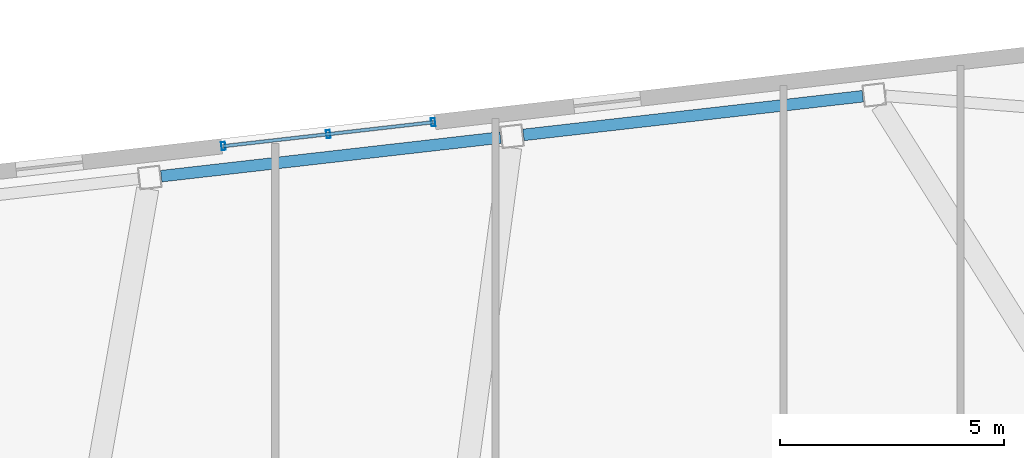
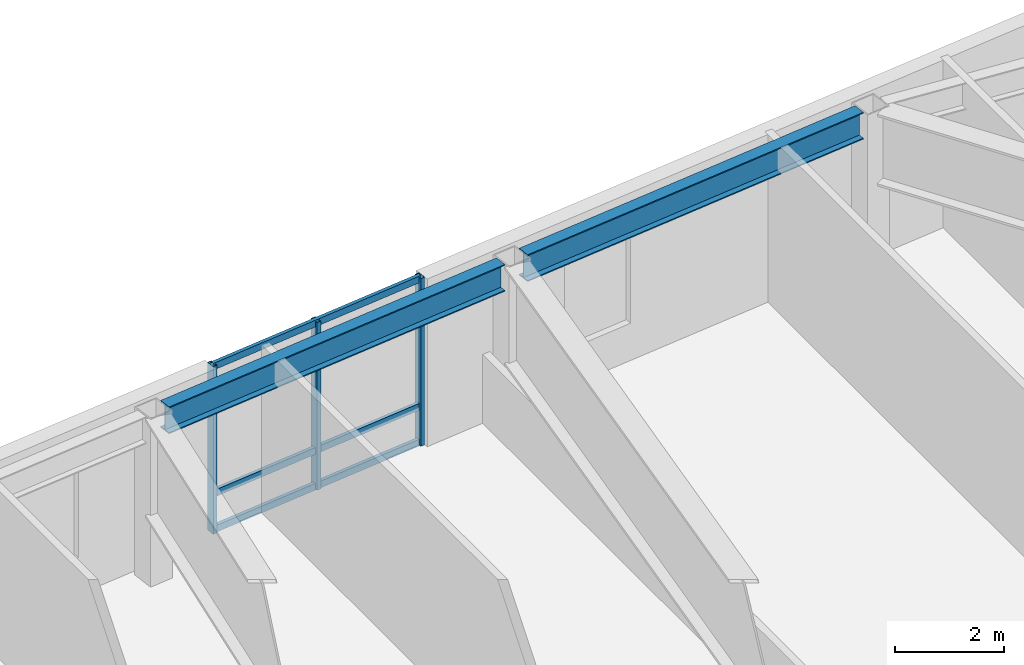
# One storey, part 9 of 18: 6 members, 2 beams, 1 element without a shape of its own.
"""IFC4 building model written with IfcOpenShell, lengths in metres."""

from ifc_helpers import new_model, si_unit, direction, frame, origin, origin_2d, place, context, subcontext, project, spatial, hollow_rectangle, i_section, extrude, material, layer, layer_set, material_profile, profile_set, type_object, element, aggregate, save


model = new_model("IFC4")

# Units and contexts
model_context = context("Model", 3, precision=1e-05, world=origin(), true_north=direction((0.0, 1.0)))
body_context = subcontext(model_context, "Body", "Model", "MODEL_VIEW")
ifc_project = project(units=[si_unit("LENGTHUNIT", "METRE"), si_unit("AREAUNIT", "SQUARE_METRE"), si_unit("VOLUMEUNIT", "CUBIC_METRE"), si_unit("PLANEANGLEUNIT", "RADIAN"), si_unit("MASSUNIT", "GRAM", prefix="KILO")], contexts=[model_context])

# Site, building, storey
site_placement = place(None, origin())
site = spatial("IfcSite", under=ifc_project, at=site_placement, CompositionType="ELEMENT")
building_placement = place(site_placement, origin())
building = spatial("IfcBuilding", under=site, at=building_placement, Name="Tavrogorsk Clinical Tower", CompositionType="ELEMENT")
storey_placement = place(building_placement, frame((0.0, 0.0, 222.199951171875)))
storey = spatial("IfcBuildingStorey", under=building, at=storey_placement, Name="L51", CompositionType="ELEMENT", Elevation=222.199951171875)

# Curtain wall, members
ifc_material_1 = material(Name="Anodised aluminium and triple IGU glazing", Category="aluminium")
ifc_layer = layer(ifc_material_1, 0.179931640625)
ifc_layer_set = layer_set([ifc_layer], Name="Anodised aluminium and triple IGU glazing")
curtain_wall_type = type_object("IfcCurtainWallType", Name="CW2_NorthSlot", PredefinedType="NOTDEFINED", material=ifc_layer_set)
curtain_wall_placement = place(storey_placement, origin())
curtain_wall = element("IfcCurtainWall", 1, at=curtain_wall_placement, inside=storey, type_object=curtain_wall_type, Name="L51 Curtain Wall CW-L51-N-SLOT-2", PredefinedType="NOTDEFINED")
ifc_material_2 = material(Name="Anodised aluminium alloy AW-6060", Category="aluminium")
ifc_material_profile_1 = material_profile(ifc_material_2, hollow_rectangle(XDim=0.090087890625, YDim=0.179931640625, WallThickness=0.00634765625, at=origin_2d()), Name="RHS-180x90x6.3")
ifc_profile_set_1 = profile_set([ifc_material_profile_1], Name="Anodised aluminium alloy AW-6060")
member_type_1 = type_object("IfcMemberType", Name="CwMullion_180x90", PredefinedType="MULLION", material=ifc_profile_set_1)
member_1_placement = place(storey_placement, frame((5.410400390625, 27.270263671875, 0.0), z_axis=(0.0, 0.0, 1.0), x_axis=(-0.993571855603, -0.11320321441, 0.0)))
member_1 = element("IfcMember", 2, at=member_1_placement, type_object=member_type_1, Name="CW-L51-N-SLOT-2 Mullion 1", PredefinedType="MULLION", context=body_context, shape_type="SweptSolid", body=[
    extrude(hollow_rectangle(XDim=0.090087890625, YDim=0.179931640625, WallThickness=0.00634765625, at=origin_2d()), origin(), (0.0, 0.0, 1.0), 3.739990234375),
])
member_2_placement = place(storey_placement, frame((3.06640625, 27.003173828125, 0.0), z_axis=(0.0, 0.0, 1.0), x_axis=(-0.993571855603, -0.11320321441, 0.0)))
member_2 = element("IfcMember", 3, at=member_2_placement, type_object=member_type_1, Name="CW-L51-N-SLOT-2 Mullion 2", PredefinedType="MULLION", context=body_context, shape_type="SweptSolid", body=[
    extrude(hollow_rectangle(XDim=0.090087890625, YDim=0.179931640625, WallThickness=0.00634765625, at=origin_2d()), origin(), (0.0, 0.0, 1.0), 3.739990234375),
])
member_3_placement = place(storey_placement, frame((0.72265625, 26.736083984375, 0.0), z_axis=(0.0, 0.0, 1.0), x_axis=(-0.993571855603, -0.11320321441, 0.0)))
member_3 = element("IfcMember", 4, at=member_3_placement, type_object=member_type_1, Name="CW-L51-N-SLOT-2 Mullion 3", PredefinedType="MULLION", context=body_context, shape_type="SweptSolid", body=[
    extrude(hollow_rectangle(XDim=0.090087890625, YDim=0.179931640625, WallThickness=0.00634765625, at=origin_2d()), origin(), (0.0, 0.0, 1.0), 3.739990234375),
])
ifc_material_3 = material(Name="Anodised aluminium alloy AW-6060", Category="aluminium")
ifc_material_profile_2 = material_profile(ifc_material_3, hollow_rectangle(XDim=0.074951171875, YDim=0.14990234375, WallThickness=0.0048828125, at=origin_2d()), Name="RHS-150x75x5")
ifc_profile_set_2 = profile_set([ifc_material_profile_2], Name="Anodised aluminium alloy AW-6060")
member_type_2 = type_object("IfcMemberType", Name="CwTransom_150x75", PredefinedType="USERDEFINED", material=ifc_profile_set_2)
member_4_placement = place(storey_placement, frame((5.410400390625, 27.270263671875, 0.050048828125), z_axis=(-0.993569979218, -0.113219682023, 0.0), x_axis=(0.113219682023, -0.993569979218, 0.0)))
member_4 = element("IfcMember", 5, at=member_4_placement, type_object=member_type_2, Name="CW-L51-N-SLOT-2 Transom 1", ObjectType="TRANSOM", PredefinedType="USERDEFINED", context=body_context, shape_type="SweptSolid", body=[
    extrude(hollow_rectangle(XDim=0.074951171875, YDim=0.14990234375, WallThickness=0.0048828125, at=origin_2d()), origin(), (0.0, 0.0, 1.0), 4.718017578125),
])
member_5_placement = place(storey_placement, frame((5.410400390625, 27.270263671875, 0.85009765625), z_axis=(-0.993569979218, -0.113219682023, 0.0), x_axis=(0.113219682023, -0.993569979218, 0.0)))
member_5 = element("IfcMember", 6, at=member_5_placement, type_object=member_type_2, Name="CW-L51-N-SLOT-2 Transom 2", ObjectType="TRANSOM", PredefinedType="USERDEFINED", context=body_context, shape_type="SweptSolid", body=[
    extrude(hollow_rectangle(XDim=0.074951171875, YDim=0.14990234375, WallThickness=0.0048828125, at=origin_2d()), origin(), (0.0, 0.0, 1.0), 4.718017578125),
])
member_6_placement = place(storey_placement, frame((5.410400390625, 27.270263671875, 3.68994140625), z_axis=(-0.993569979218, -0.113219682023, 0.0), x_axis=(0.113219682023, -0.993569979218, 0.0)))
member_6 = element("IfcMember", 7, at=member_6_placement, type_object=member_type_2, Name="CW-L51-N-SLOT-2 Transom 3", ObjectType="TRANSOM", PredefinedType="USERDEFINED", context=body_context, shape_type="SweptSolid", body=[
    extrude(hollow_rectangle(XDim=0.074951171875, YDim=0.14990234375, WallThickness=0.0048828125, at=origin_2d()), origin(), (0.0, 0.0, 1.0), 4.718017578125),
])
aggregate(curtain_wall, [member_1, member_2, member_3, member_4, member_5, member_6])

# Beams
ifc_material_4 = material(Name="Structural steel S390", Category="steel")
ifc_material_profile_3 = material_profile(ifc_material_4, i_section(OverallWidth=0.260009765625, OverallDepth=0.60009765625, WebThickness=0.014892578125, FlangeThickness=0.02392578125, at=origin_2d()), Name="B-600x260x15x24")
ifc_profile_set_3 = profile_set([ifc_material_profile_3], Name="Structural steel S390")
beam_type = type_object("IfcBeamType", Name="SpandrelBeam_B600", PredefinedType="SPANDREL", material=ifc_profile_set_3)
for number, where, z_axis, x_axis, name in (
    (8, (15.01220703125, 27.850830078125, 3.43994140625), (-0.993572099834, -0.113201070804, 0.0), (0.113201070804, -0.993572099834, 0.0), "L51 Perimeter Spandrel N2-N3"),
    (9, (6.916015625, 26.928466796875, 3.43994140625), (-0.993572099834, -0.113201070804, 0.0), (0.113201070804, -0.993572099834, 0.0), "L51 Perimeter Spandrel N3-N4"),
):
    element("IfcBeam", number, at=place(storey_placement, frame(where, z_axis=z_axis, x_axis=x_axis)), inside=storey, type_object=beam_type, Name=name, PredefinedType="SPANDREL", context=body_context, shape_type="SweptSolid", body=[
        extrude(i_section(OverallWidth=0.260009765625, OverallDepth=0.60009765625, WebThickness=0.014892578125, FlangeThickness=0.02392578125, at=origin_2d()), origin(), (0.0, 0.0, 1.0), 7.632568359375),
    ])

save(model, "model.ifc")
